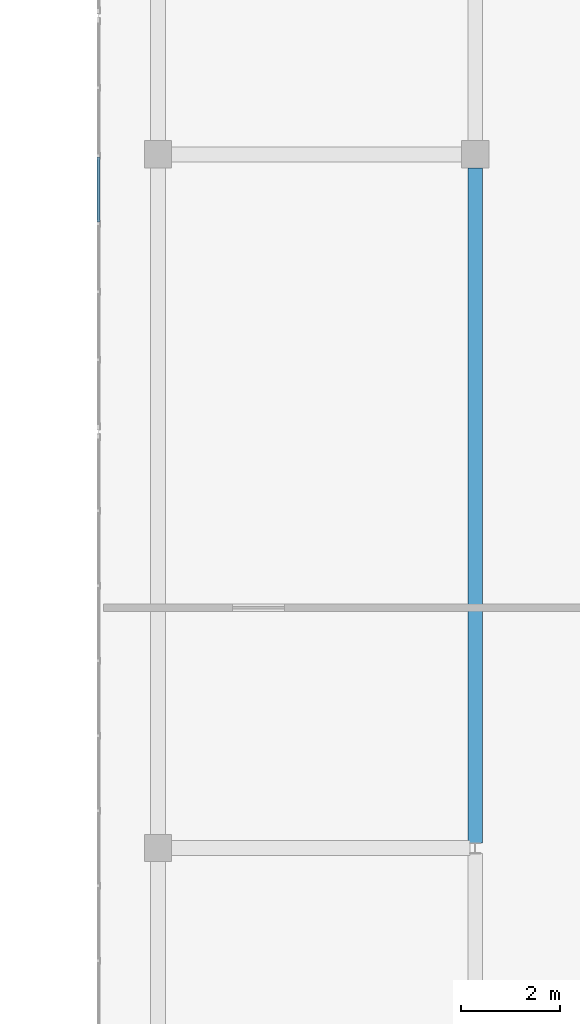
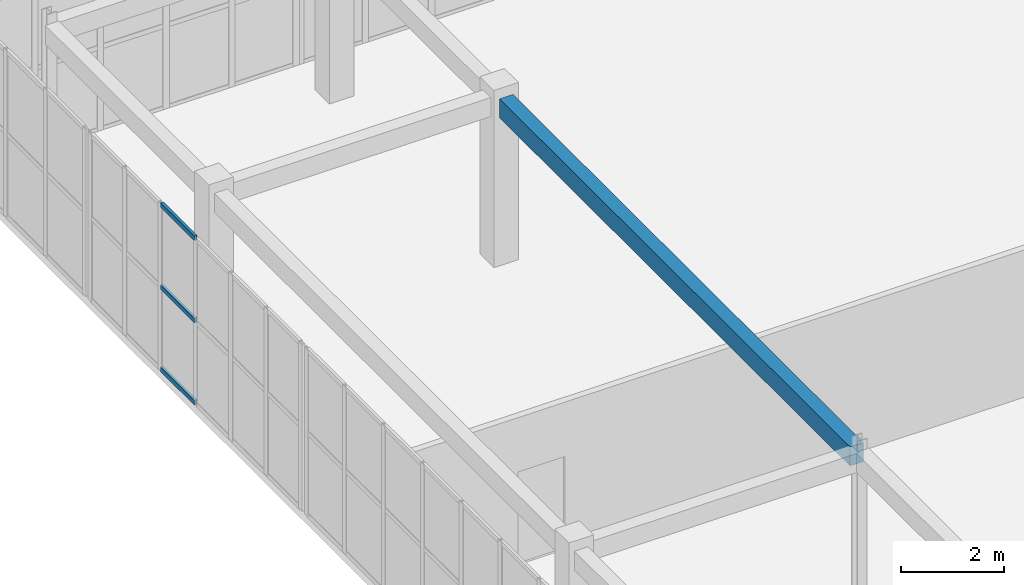
# One storey, part 51 of 140: 3 members, 1 beam, 1 element without a shape of its own.
"""IFC4 building model written with IfcOpenShell, lengths in metres."""

from ifc_helpers import new_model, si_unit, direction, frame, origin, origin_2d, place, context, subcontext, project, spatial, rectangle, hollow_rectangle, extrude, material, layer, layer_set, material_profile, profile_set, type_object, element, aggregate, save


model = new_model("IFC4")

# Units and contexts
model_context = context("Model", 3, precision=1e-05, world=origin(), true_north=direction((0.0, 1.0)))
body_context = subcontext(model_context, "Body", "Model", "MODEL_VIEW")
ifc_project = project(units=[si_unit("LENGTHUNIT", "METRE"), si_unit("AREAUNIT", "SQUARE_METRE"), si_unit("VOLUMEUNIT", "CUBIC_METRE"), si_unit("PLANEANGLEUNIT", "RADIAN"), si_unit("MASSUNIT", "GRAM", prefix="KILO")], contexts=[model_context])

# Site, building, storey
site_placement = place(None, origin())
site = spatial("IfcSite", under=ifc_project, at=site_placement, CompositionType="ELEMENT")
building_placement = place(site_placement, origin())
building = spatial("IfcBuilding", under=site, at=building_placement, Name="Trelvath General Hospital", CompositionType="ELEMENT")
storey_placement = place(building_placement, frame((0.0, 0.0, 16.199951171875)))
storey = spatial("IfcBuildingStorey", under=building, at=storey_placement, Name="L04", CompositionType="ELEMENT", Elevation=16.199951171875)

# Beam
ifc_material_1 = material(Name="Concrete C35/45", Category="concrete")
ifc_material_profile_1 = material_profile(ifc_material_1, rectangle(XDim=0.300048828125, YDim=0.449951171875, at=origin_2d()), Name="RCB300x450")
ifc_profile_set_1 = profile_set([ifc_material_profile_1], Name="Concrete C35/45")
beam_type = type_object("IfcBeamType", Name="Beam RC300x450", PredefinedType="BEAM", material=ifc_profile_set_1)
beam_placement = place(storey_placement, frame((60.800048828125, 58.906005859375, 3.735107421875), z_axis=(0.0, 1.0, 0.0), x_axis=(-1.0, 0.0, 0.0)))
element("IfcBeam", 1, at=beam_placement, inside=storey, type_object=beam_type, Name="Cube Interior Ring Beam CUBE-W-T1 L04", PredefinedType="BEAM", context=body_context, shape_type="SweptSolid", body=[
    extrude(rectangle(XDim=0.300048828125, YDim=0.449951171875, at=origin_2d()), origin(), (0.0, 0.0, 1.0), 13.623046875),
])

# Curtain wall, members
ifc_material_2 = material(Name="Anodised aluminium and low-E glass", Category="aluminium")
ifc_layer = layer(ifc_material_2, 0.139892578125)
ifc_layer_set = layer_set([ifc_layer], Name="Anodised aluminium and low-E glass")
curtain_wall_type = type_object("IfcCurtainWallType", Name="CW CrystalCube 824 396 14", PredefinedType="USERDEFINED", material=ifc_layer_set)
curtain_wall_placement = place(storey_placement, origin())
curtain_wall = element("IfcCurtainWall", 2, at=curtain_wall_placement, inside=storey, type_object=curtain_wall_type, Name="Crystal Cube Curtain Wall CUBE-W-T1 W4 L04", ObjectType="Unitised Glazed Curtain Wall", PredefinedType="USERDEFINED")
ifc_material_3 = material(Name="Anodised aluminium", Category="aluminium")
ifc_material_profile_2 = material_profile(ifc_material_3, hollow_rectangle(XDim=0.06005859375, YDim=0.110107421875, WallThickness=0.00390625, at=origin_2d()), Name="RHS60x110x4")
ifc_profile_set_2 = profile_set([ifc_material_profile_2], Name="Anodised aluminium")
member_type = type_object("IfcMemberType", Name="CurtainTransom 60x110", PredefinedType="USERDEFINED", material=ifc_profile_set_2)
member_1_placement = place(storey_placement, frame((53.199951171875, 71.429931640625, 0.030029296875), z_axis=(0.0, 1.0, 0.0), x_axis=(-1.0, 0.0, 0.0)))
member_1 = element("IfcMember", 3, at=member_1_placement, type_object=member_type, Name="CW-278 transom 4.1", ObjectType="TRANSOM", PredefinedType="USERDEFINED", context=body_context, shape_type="SweptSolid", body=[
    extrude(hollow_rectangle(XDim=0.06005859375, YDim=0.110107421875, WallThickness=0.00390625, at=origin_2d()), origin(), (0.0, 0.0, 1.0), 1.3134765625),
])
member_2_placement = place(storey_placement, frame((53.199951171875, 71.429931640625, 1.97998046875), z_axis=(0.0, 1.0, 0.0), x_axis=(-1.0, 0.0, 0.0)))
member_2 = element("IfcMember", 4, at=member_2_placement, type_object=member_type, Name="CW-278 transom 4.2", ObjectType="TRANSOM", PredefinedType="USERDEFINED", context=body_context, shape_type="SweptSolid", body=[
    extrude(hollow_rectangle(XDim=0.06005859375, YDim=0.110107421875, WallThickness=0.00390625, at=origin_2d()), origin(), (0.0, 0.0, 1.0), 1.3134765625),
])
member_3_placement = place(storey_placement, frame((53.199951171875, 71.429931640625, 3.929931640625), z_axis=(0.0, 1.0, 0.0), x_axis=(-1.0, 0.0, 0.0)))
member_3 = element("IfcMember", 5, at=member_3_placement, type_object=member_type, Name="CW-278 transom 4.3", ObjectType="TRANSOM", PredefinedType="USERDEFINED", context=body_context, shape_type="SweptSolid", body=[
    extrude(hollow_rectangle(XDim=0.06005859375, YDim=0.110107421875, WallThickness=0.00390625, at=origin_2d()), origin(), (0.0, 0.0, 1.0), 1.3134765625),
])
aggregate(curtain_wall, [member_1, member_2, member_3])

save(model, "model.ifc")
